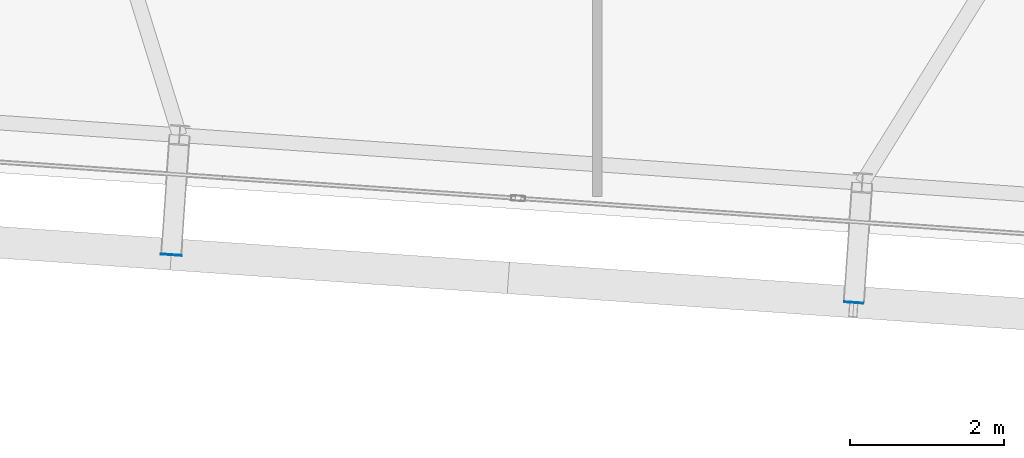
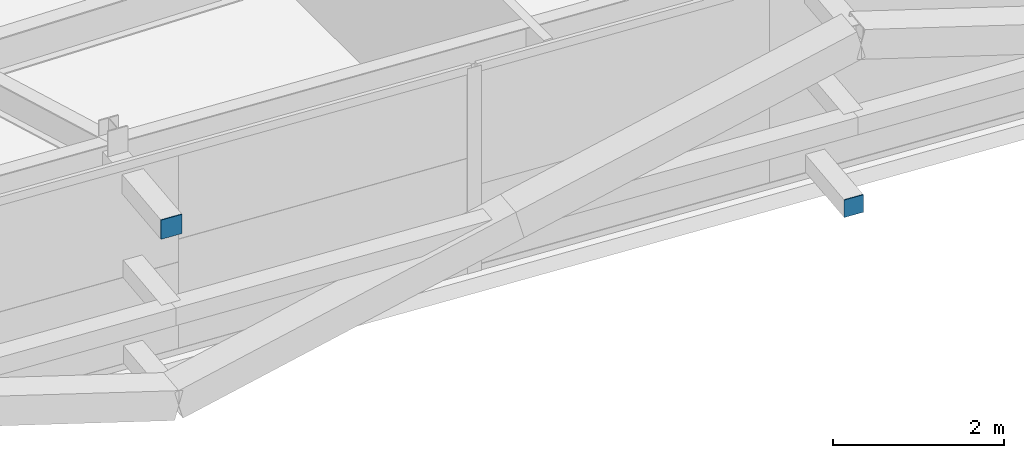
# One storey, part 28 of 39: 2 plates.
"""IFC4 building model written with IfcOpenShell, lengths in metres."""

from ifc_helpers import new_model, si_unit, direction, frame, origin, origin_2d, place, context, subcontext, project, spatial, rectangle, extrude, source, transform, mapped, material, layer, layer_set, type_object, element, save


model = new_model("IFC4")

# Units and contexts
model_context = context("Model", 3, precision=1e-05, world=origin(), true_north=direction((0.0, 1.0)))
body_context = subcontext(model_context, "Body", "Model", "MODEL_VIEW")
ifc_project = project(units=[si_unit("LENGTHUNIT", "METRE"), si_unit("AREAUNIT", "SQUARE_METRE"), si_unit("VOLUMEUNIT", "CUBIC_METRE"), si_unit("PLANEANGLEUNIT", "RADIAN"), si_unit("MASSUNIT", "GRAM", prefix="KILO")], contexts=[model_context])

# Site, building, storey
site_placement = place(None, origin())
site = spatial("IfcSite", under=ifc_project, at=site_placement, CompositionType="ELEMENT")
building_placement = place(site_placement, origin())
building = spatial("IfcBuilding", under=site, at=building_placement, Name="Taldren Reach Tower", CompositionType="ELEMENT")
storey_placement = place(building_placement, frame((0.0, 0.0, 145.60009765625)))
storey = spatial("IfcBuildingStorey", under=building, at=storey_placement, Name="L44", CompositionType="ELEMENT", Elevation=145.60009765625)

# Plates
ifc_material_1 = material(Name="Steel Gr 450 (C450L0)", Category="steel")
ifc_layer_1 = layer(ifc_material_1, 0.011962890625)
ifc_layer_set_1 = layer_set([ifc_layer_1], Name="Steel Gr 450 (C450L0)")
plate_type_1 = type_object("IfcPlateType", Name="PL-CAP-275", PredefinedType="SHEET", material=ifc_layer_set_1)
shared_shape_1 = source(origin(), body_context, "Body", "SweptSolid", [
    extrude(rectangle(XDim=0.27490234375, YDim=0.011962890625, at=origin_2d()), origin(), (0.0, 0.0, 1.0), 0.27490234375),
])
plate_1_placement = place(storey_placement, frame((29.4716796875, 2.54736328125, 2.512451171875), z_axis=(0.0, 0.0, 1.0), x_axis=(0.99756405026, -0.069756473744, 0.0)))
element("IfcPlate", 1, at=plate_1_placement, inside=storey, type_object=plate_type_1, Name="Tie strut end cap plate B3-S3 L44", PredefinedType="SHEET", context=body_context, shape_type="MappedRepresentation", body=[
    mapped(shared_shape_1, transform((0.0, 0.0, 0.0), scale=1.0)),
])
ifc_material_2 = material(Name="Steel Gr 350 (C350L0)", Category="steel")
ifc_layer_2 = layer(ifc_material_2, 0.011962890625)
ifc_layer_set_2 = layer_set([ifc_layer_2], Name="Steel Gr 350 (C350L0)")
plate_type_2 = type_object("IfcPlateType", Name="PL-CAP-250", PredefinedType="SHEET", material=ifc_layer_set_2)
shared_shape_2 = source(origin(), body_context, "Body", "SweptSolid", [
    extrude(rectangle(XDim=0.25, YDim=0.011962890625, at=origin_2d()), origin(), (0.0, 0.0, 1.0), 0.25),
])
plate_2_placement = place(storey_placement, frame((38.330078125, 1.927978515625, 0.094970703125), z_axis=(0.0, 0.0, 1.0), x_axis=(0.99756405026, -0.069756473744, 0.0)))
element("IfcPlate", 2, at=plate_2_placement, inside=storey, type_object=plate_type_2, Name="Tie strut end cap plate B3-S4 L44", PredefinedType="SHEET", context=body_context, shape_type="MappedRepresentation", body=[
    mapped(shared_shape_2, transform((0.0, 0.0, 0.0), scale=1.0)),
])

save(model, "model.ifc")
